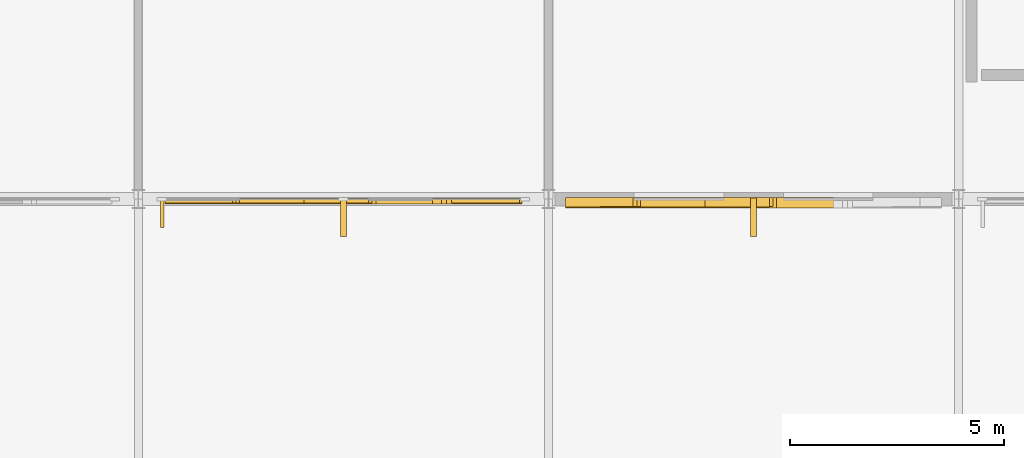
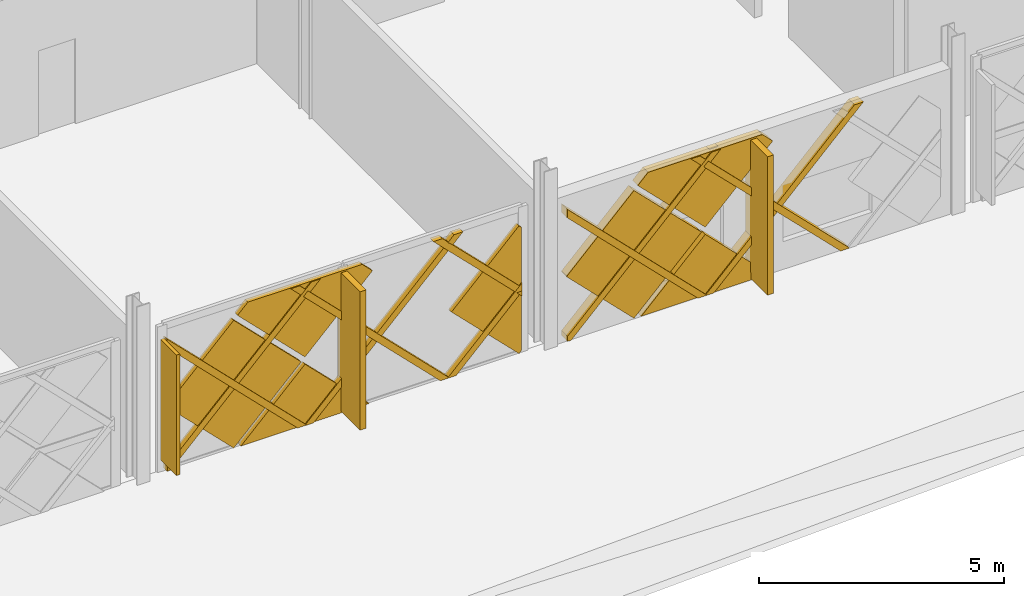
# One storey, part 79 of 101: 19 coverings, 1 shading device.
"""IFC4 building model written with IfcOpenShell, lengths in metres."""

from ifc_helpers import new_model, si_unit, direction, frame, origin, origin_2d, place, context, subcontext, project, spatial, polyline, rectangle, outline, extrude, material, layer, layer_set, type_object, element, save


model = new_model("IFC4")

# Units and contexts
model_context = context("Model", 3, precision=1e-05, world=origin(), true_north=direction((0.0, 1.0)))
body_context = subcontext(model_context, "Body", "Model", "MODEL_VIEW")
ifc_project = project(units=[si_unit("LENGTHUNIT", "METRE"), si_unit("AREAUNIT", "SQUARE_METRE"), si_unit("VOLUMEUNIT", "CUBIC_METRE"), si_unit("PLANEANGLEUNIT", "RADIAN"), si_unit("MASSUNIT", "GRAM", prefix="KILO")], contexts=[model_context])

# Site, building, storey
site_placement = place(None, origin())
site = spatial("IfcSite", under=ifc_project, at=site_placement, CompositionType="ELEMENT")
building_placement = place(site_placement, origin())
building = spatial("IfcBuilding", under=site, at=building_placement, Name="Zevrakil Square Congress Hotel", CompositionType="ELEMENT")
storey_placement = place(building_placement, frame((0.0, 0.0, 5.39990234375)))
storey = spatial("IfcBuildingStorey", under=building, at=storey_placement, Name="L02", CompositionType="ELEMENT", Elevation=5.39990234375)

# Coverings
ifc_material_1 = material(Name="Architectural White Fibre-C GRC", Category="concrete")
ifc_layer_1 = layer(ifc_material_1, 0.06494140625)
ifc_layer_set_1 = layer_set([ifc_layer_1], Name="Architectural White Fibre-C GRC")
covering_type_1 = type_object("IfcCoveringType", Name="COV-DIA-WHITE", PredefinedType="CLADDING", material=ifc_layer_set_1)
covering_1_placement = place(storey_placement, frame((68.679931640625, 7.10595703125, 1.590087890625), z_axis=(0.0, -0.999999790873, 0.000646725815), x_axis=(0.707106707249, -0.000457304257, -0.707106707249)))
element("IfcCovering", 1, at=covering_1_placement, inside=storey, type_object=covering_type_1, Name="L02 45-degree white GRC diamond facade cassette 96", PredefinedType="CLADDING", context=body_context, shape_type="SweptSolid", body=[
    extrude(outline(polyline([(0.0, 0.0), (2.1354765131557993, 0.0), (4.465861884739297e-07, -2.1354765131557527), (0.0, 0.0)])), origin(), (0.0, 0.0, -1.0), 0.1201171875),
])
covering_2_placement = place(storey_placement, frame((67.0, 7.10693359375, 3.27001953125), z_axis=(0.0, -0.999999812555, 0.000612282088), x_axis=(0.707161000838, -0.000432915616, -0.707052424844)))
element("IfcCovering", 2, at=covering_2_placement, inside=storey, type_object=covering_type_1, Name="L02 45-degree white GRC diamond facade cassette 97", PredefinedType="CLADDING", context=body_context, shape_type="SweptSolid", body=[
    extrude(outline(polyline([(0.0, 0.0), (2.248551445484592, 0.0), (2.2483792228800303, -2.2487240657380205), (0.013811102109335449, -2.2485525032084603), (-0.000343756005215079, -2.2343954741070595), (0.0, 0.0)])), origin(), (0.0, 0.0, -1.0), 0.1201171875),
])
covering_3_placement = place(storey_placement, frame((73.719970703125, 7.10498046875, 0.090087890625), z_axis=(-4.3898e-08, -0.999999810877, 0.000615017515), x_axis=(-0.707106714509, 0.000434914137, 0.707106714115)))
element("IfcCovering", 3, at=covering_3_placement, inside=storey, type_object=covering_type_1, Name="L02 45-degree white GRC diamond facade cassette 98", PredefinedType="CLADDING", context=body_context, shape_type="SweptSolid", body=[
    extrude(outline(polyline([(0.0, 0.0), (2.2487240723345248, 0.0), (2.2485518629543146, -2.248551438891992), (2.16378882664394, -2.2487240883742428), (-2.3641429092169375e-11, -0.08493566978779551), (0.0, 0.0)])), origin(), (0.0, 0.0, -1.0), 0.1201171875),
])
covering_4_placement = place(storey_placement, frame((70.27001953125, 7.10693359375, 3.360107421875), z_axis=(0.0, -0.999999832179, 0.000579346068), x_axis=(-0.707106746172, -0.000409659554, -0.707106697534)))
element("IfcCovering", 4, at=covering_4_placement, inside=storey, type_object=covering_type_1, Name="L02 45-degree white GRC diamond facade cassette 99", PredefinedType="CLADDING", context=body_context, shape_type="SweptSolid", body=[
    extrude(outline(polyline([(0.0, 0.0), (2.2487239716392238, 0.0), (2.2485511154520332, -2.2485513381391633), (1.9022482605456785, -2.2485513919470725), (0.00017254537865349362, -0.34647548840639664), (0.0, 0.0)])), origin(), (0.0, 0.0, -1.0), 0.1201171875),
])
covering_5_placement = place(storey_placement, frame((78.06005859375, 7.02099609375, 1.590087890625), z_axis=(0.0, -0.999999790873, 0.000646725815), x_axis=(0.707106707249, -0.000457304257, -0.707106707249)))
element("IfcCovering", 5, at=covering_5_placement, inside=storey, type_object=covering_type_1, Name="L02 45-degree white GRC diamond facade cassette 119", PredefinedType="CLADDING", context=body_context, shape_type="SweptSolid", body=[
    extrude(outline(polyline([(0.0, 0.0), (2.1354765131557993, 0.0), (4.465861884739297e-07, -2.1354765131557527), (0.0, 0.0)])), origin(), (0.0, 0.0, -1.0), 0.219970703125),
])
covering_6_placement = place(storey_placement, frame((76.3798828125, 7.02197265625, 3.27001953125), z_axis=(0.0, -0.999999812555, 0.000612282237), x_axis=(0.707161000838, -0.000432915721, -0.707052424844)))
element("IfcCovering", 6, at=covering_6_placement, inside=storey, type_object=covering_type_1, Name="L02 45-degree white GRC diamond facade cassette 120", PredefinedType="CLADDING", context=body_context, shape_type="SweptSolid", body=[
    extrude(outline(polyline([(0.0, 0.0), (2.2485514454845923, 0.0), (2.248379222880032, -2.2487240657380214), (0.013983748838055643, -2.248379882955194), (-0.0001711092764935529, -2.234222853853795), (0.0, 0.0)])), origin(), (0.0, 0.0, -1.0), 0.219970703125),
])
covering_7_placement = place(storey_placement, frame((79.64990234375, 7.02197265625, 3.360107421875), z_axis=(0.0, -0.99999975577, 0.000698899589), x_axis=(-0.707052425261, -0.000494234625, -0.707160960224)))
element("IfcCovering", 7, at=covering_7_placement, inside=storey, type_object=covering_type_1, Name="L02 45-degree white GRC diamond facade cassette 122", PredefinedType="CLADDING", context=body_context, shape_type="SweptSolid", body=[
    extrude(outline(polyline([(0.0, 0.0), (2.2485514414491856, 0.0), (2.2483783786670166, -2.248724061638218), (1.9019028971481788, -2.2485248736565957), (-2.669794995455166e-05, -0.3463028612857793), (0.0, 0.0)])), origin(), (0.0, 0.0, -1.0), 0.219970703125),
])
ifc_material_2 = material(Name="Anodised Champagne Aluminium", Category="aluminium")
ifc_layer_2 = layer(ifc_material_2, 0.0849609375)
ifc_layer_set_2 = layer_set([ifc_layer_2], Name="Anodised Champagne Aluminium")
covering_type_2 = type_object("IfcCoveringType", Name="COV-DIAGRID-45", PredefinedType="MOLDING", material=ifc_layer_set_2)
covering_8_placement = place(storey_placement, frame((65.506103515625, 7.080078125, 0.080078125), z_axis=(0.000187311957, -0.999999884449, 0.000442737353), x_axis=(-0.999999982457, -0.000187311939, 8.293e-08)))
element("IfcCovering", 8, at=covering_8_placement, inside=storey, type_object=covering_type_2, Name="L02 45-degree aluminium diagrid rib 100", PredefinedType="MOLDING", context=body_context, shape_type="SweptSolid", body=[
    extrude(outline(polyline([(0.0, 0.0), (0.0861816391131254, 2.2812090330563966e-24), (0.08618164958060848, -0.12622069075433734), (-3.312744201763839, -3.524902971092284), (-3.5249024011669716, -3.524902971092284), (0.0, 0.0)])), origin(), (0.0, 0.0, -1.0), 0.14501953125),
])
covering_9_placement = place(storey_placement, frame((68.8662109375, 7.080078125, 0.080078125), z_axis=(0.0, -0.999999805714, 0.000623354914), x_axis=(-1.0, 0.0, 0.0)))
element("IfcCovering", 9, at=covering_9_placement, inside=storey, type_object=covering_type_2, Name="L02 45-degree aluminium diagrid rib 101", PredefinedType="MOLDING", context=body_context, shape_type="SweptSolid", body=[
    extrude(outline(polyline([(0.0, 0.0), (0.21240234375, 0.0), (-3.312744140625, -3.524903028588229), (-3.52490234375, -3.524903028588229), (0.0, 0.0)])), origin(), (0.0, 0.0, -1.0), 0.14501953125),
])
covering_10_placement = place(storey_placement, frame((72.22607421875, 7.080078125, 0.080078125), z_axis=(0.000294139249, -0.999999913482, 0.000294139249), x_axis=(-0.999999956741, -0.000294139237, 8.6518e-08)))
element("IfcCovering", 10, at=covering_10_placement, inside=storey, type_object=covering_type_2, Name="L02 45-degree aluminium diagrid rib 102", PredefinedType="MOLDING", context=body_context, shape_type="SweptSolid", body=[
    extrude(outline(polyline([(0.0, 0.0), (0.2121581939472589, 0.0), (-1.553955145347468, -1.7661134920951609), (-1.5539551637029505, -1.5539552981479028), (0.0, 0.0)])), origin(), (0.0, 0.0, -1.0), 0.14501953125),
])
covering_11_placement = place(storey_placement, frame((65.419921875, 7.081787109375, 3.154052734375), z_axis=(0.000287477056, -0.99999958606, 0.000863270454), x_axis=(8.2643e-08, 0.000863270513, 0.999999627382)))
element("IfcCovering", 11, at=covering_11_placement, inside=storey, type_object=covering_type_2, Name="L02 45-degree aluminium diagrid rib 103", PredefinedType="MOLDING", context=body_context, shape_type="SweptSolid", body=[
    extrude(outline(polyline([(0.0, 0.0), (0.21215833483042407, 1.3234889800848443e-23), (-3.0739746676964605, -3.286133202330571), (-3.073974685229852, -3.0739750079722734), (0.0, 0.0)])), origin(), (0.0, 0.0, -1.0), 0.14501953125),
])
covering_12_placement = place(storey_placement, frame((68.328857421875, 7.082275390625, 3.60498046875), z_axis=(0.0, -0.999999805714, 0.000623354914), x_axis=(1.0, 0.0, 0.0)))
element("IfcCovering", 12, at=covering_12_placement, inside=storey, type_object=covering_type_2, Name="L02 45-degree aluminium diagrid rib 104", PredefinedType="MOLDING", context=body_context, shape_type="SweptSolid", body=[
    extrude(outline(polyline([(0.0, 0.0), (0.212158203125, 0.0), (3.7373046875, -3.5249030285882292), (3.525146484375, -3.5249030285882292), (0.0, 0.0)])), origin(), (0.0, 0.0, -1.0), 0.14501953125),
])
covering_13_placement = place(storey_placement, frame((71.68896484375, 7.082275390625, 3.60498046875), z_axis=(0.000236587851, -0.999999555129, 0.000913108865), x_axis=(0.999999972013, 0.000236587752, -2.1603e-07)))
element("IfcCovering", 13, at=covering_13_placement, inside=storey, type_object=covering_type_2, Name="L02 45-degree aluminium diagrid rib 105", PredefinedType="MOLDING", context=body_context, shape_type="SweptSolid", body=[
    extrude(outline(polyline([(0.0, 0.0), (0.21215819718734832, -5.6157808774107894e-24), (2.091064511647426, -1.878662440825683), (2.091064499772122, -2.0910649189555177), (0.0, 0.0)])), origin(), (0.0, 0.0, -1.0), 0.14501953125),
])
covering_14_placement = place(storey_placement, frame((74.885986328125, 6.9951171875, 0.080078125), z_axis=(0.000187420889, -0.999999884475, 0.000442632313), x_axis=(-0.999999982437, -0.000187420871, 8.2959e-08)))
element("IfcCovering", 14, at=covering_14_placement, inside=storey, type_object=covering_type_2, Name="L02 45-degree aluminium diagrid rib 123", PredefinedType="MOLDING", context=body_context, shape_type="SweptSolid", body=[
    extrude(outline(polyline([(0.0, 0.0), (0.08593749849065434, 0.0), (0.08593750896174, -0.12622069076020653), (-3.3129883424556827, -3.5249029710253903), (-3.5251465418544856, -3.5249029710253903), (0.0, 0.0)])), origin(), (0.0, 0.0, -1.0), 0.2451171875),
])
covering_15_placement = place(storey_placement, frame((78.24609375, 6.9951171875, 0.080078125), z_axis=(0.0, -0.999999805714, 0.000623354914), x_axis=(-1.0, 0.0, 0.0)))
element("IfcCovering", 15, at=covering_15_placement, inside=storey, type_object=covering_type_2, Name="L02 45-degree aluminium diagrid rib 124", PredefinedType="MOLDING", context=body_context, shape_type="SweptSolid", body=[
    extrude(outline(polyline([(0.0, 0.0), (0.212158203125, 0.0), (-3.312744140625, -3.5249030285882292), (-3.52490234375, -3.5249030285882292), (0.0, 0.0)])), origin(), (0.0, 0.0, -1.0), 0.2451171875),
])
covering_16_placement = place(storey_placement, frame((74.800048828125, 6.996826171875, 3.154052734375), z_axis=(0.000287317256, -0.999999586254, 0.000863099624), x_axis=(8.2646e-08, 0.000863099684, 0.999999627529)))
element("IfcCovering", 16, at=covering_16_placement, inside=storey, type_object=covering_type_2, Name="L02 45-degree aluminium diagrid rib 126", PredefinedType="MOLDING", context=body_context, shape_type="SweptSolid", body=[
    extrude(outline(polyline([(0.0, 0.0), (0.212158334820002, 0.0), (-3.0739746678474664, -3.286133202189314), (-3.0739746854017027, -3.07373086720635), (0.0, 0.0)])), origin(), (0.0, 0.0, -1.0), 0.2451171875),
])
covering_17_placement = place(storey_placement, frame((77.708984375, 6.997314453125, 3.60498046875), z_axis=(0.0, -0.999999805714, 0.000623354914), x_axis=(1.0, 0.0, 0.0)))
element("IfcCovering", 17, at=covering_17_placement, inside=storey, type_object=covering_type_2, Name="L02 45-degree aluminium diagrid rib 127", PredefinedType="MOLDING", context=body_context, shape_type="SweptSolid", body=[
    extrude(outline(polyline([(0.0, 0.0), (0.212158203125, 0.0), (3.737060546875, -3.5249030285882292), (3.52490234375, -3.5249030285882292), (0.0, 0.0)])), origin(), (0.0, 0.0, -1.0), 0.2451171875),
])
ifc_material_3 = material(Name="Architectural White Fibre-C GRC", Category="concrete")
ifc_layer_3 = layer(ifc_material_3, 0.139892578125)
ifc_layer_set_3 = layer_set([ifc_layer_3], Name="Architectural White Fibre-C GRC")
covering_type_3 = type_object("IfcCoveringType", Name="COV-FIN-GRC90", PredefinedType="MOLDING", material=ifc_layer_set_3)
for number, where, z_axis, x_axis, name in (
    (18, (69.60009765625, 6.780029296875, 0.1201171875), (0.0, 0.0, 1.0), (0.0, -1.0, 0.0), "L02 highland sun-breaker GRC fin 106"),
    (19, (79.199951171875, 6.780029296875, 0.1201171875), (0.0, 0.0, 1.0), (0.0, -1.0, 0.0), "L02 highland sun-breaker GRC fin 129"),
):
    element("IfcCovering", number, at=place(storey_placement, frame(where, z_axis=z_axis, x_axis=x_axis)), inside=storey, type_object=covering_type_3, Name=name, PredefinedType="MOLDING", context=body_context, shape_type="SweptSolid", body=[
        extrude(rectangle(XDim=0.89990234375, YDim=0.139892578125, at=origin_2d()), origin(), (0.0, 0.0, 1.0), 3.445068359375),
    ])

# Shading device
ifc_material_4 = material(Name="Aluminium Anodised Bronze", Category="aluminium")
shading_device_type = type_object("IfcShadingDeviceType", Name="SHD-FIN-65", PredefinedType="USERDEFINED", material=ifc_material_4)
shading_device_placement = place(storey_placement, frame((65.360107421875, 6.85498046875, 0.342529296875), z_axis=(0.0, 0.0, 1.0), x_axis=(0.0, -1.0, 0.0)))
element("IfcShadingDevice", 20, at=shading_device_placement, inside=storey, type_object=shading_device_type, Name="L02 aluminium solar shading fin 6", ObjectType="SOLAR FIN", PredefinedType="USERDEFINED", context=body_context, shape_type="SweptSolid", body=[
    extrude(rectangle(XDim=0.64990234375, YDim=0.080078125, at=origin_2d()), origin(), (0.0, 0.0, 1.0), 3.0),
])

save(model, "model.ifc")
